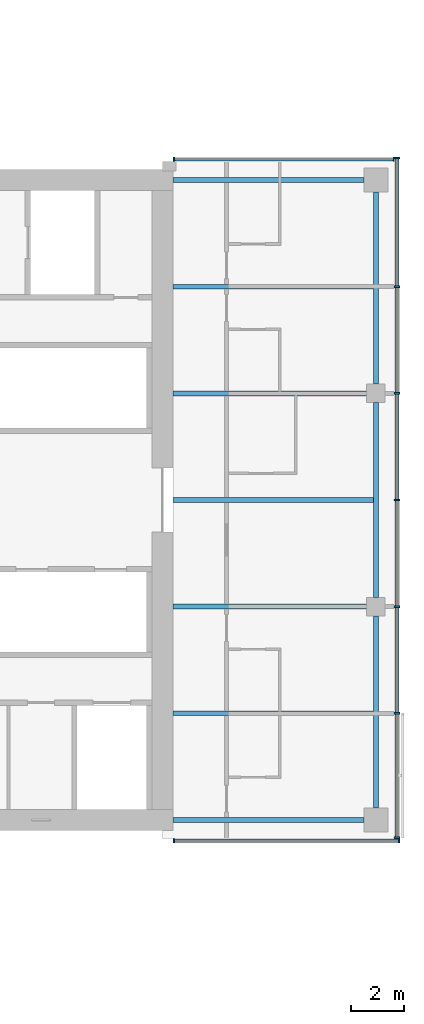
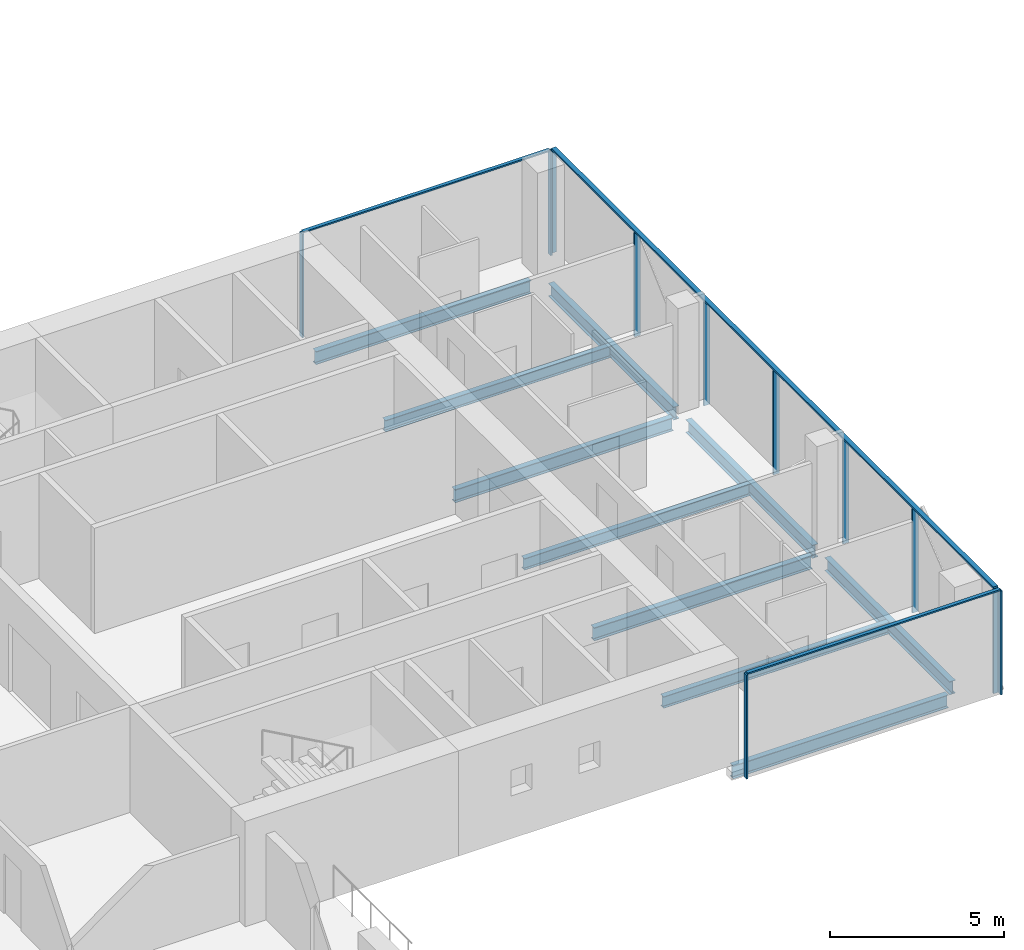
# One storey, part 11 of 27: 14 members, 10 beams, 3 elements without a shape of their own.
"""IFC4 building model written with IfcOpenShell, lengths in metres."""

from ifc_helpers import new_model, si_unit, direction, frame, origin, origin_2d, place, context, subcontext, project, spatial, rectangle, i_section, extrude, material, material_profile, profile_set, type_object, element, aggregate, save


model = new_model("IFC4")

# Units and contexts
model_context = context("Model", 3, precision=1e-05, world=origin(), true_north=direction((0.0, 1.0)))
body_context = subcontext(model_context, "Body", "Model", "MODEL_VIEW")
ifc_project = project(units=[si_unit("LENGTHUNIT", "METRE"), si_unit("AREAUNIT", "SQUARE_METRE"), si_unit("VOLUMEUNIT", "CUBIC_METRE"), si_unit("PLANEANGLEUNIT", "RADIAN"), si_unit("MASSUNIT", "GRAM", prefix="KILO")], contexts=[model_context])

# Site, building, storey
site_placement = place(None, origin())
site = spatial("IfcSite", under=ifc_project, at=site_placement, CompositionType="ELEMENT")
building_placement = place(site_placement, origin())
building = spatial("IfcBuilding", under=site, at=building_placement, Name="Crosswind Convention Tower", CompositionType="ELEMENT")
storey_placement = place(building_placement, frame((0.0, 0.0, 68.300048828125)))
storey = spatial("IfcBuildingStorey", under=building, at=storey_placement, Name="L11", CompositionType="ELEMENT", Elevation=68.300048828125)

# Beams
ifc_material_1 = material(Name="Steel S355", Category="steel")
ifc_material_profile_1 = material_profile(ifc_material_1, i_section(OverallWidth=0.1904296875, OverallDepth=0.457275390625, WebThickness=0.009033203125, FlangeThickness=0.014404296875, FilletRadius=0.01025390625, at=origin_2d()), Name="UB 457x191x75")
ifc_profile_set_1 = profile_set([ifc_material_profile_1], Name="Steel S355")
beam_type_1 = type_object("IfcBeamType", Name="Edge beam UB 457x191x75", PredefinedType="SPANDREL", material=ifc_profile_set_1)
for number, where, z_axis, x_axis, name in (
    (1, (153.39990234375, 88.0, -0.508544921875), (1.0, 0.0, 0.0), (0.0, 1.0, 0.0), "B17 L11 edge beam 24"),
    (2, (153.39990234375, 112.0, -0.508544921875), (1.0, 0.0, 0.0), (0.0, 1.0, 0.0), "B17 L11 edge beam 25"),
):
    element("IfcBeam", number, at=place(storey_placement, frame(where, z_axis=z_axis, x_axis=x_axis)), inside=storey, type_object=beam_type_1, Name=name, PredefinedType="SPANDREL", context=body_context, shape_type="SweptSolid", body=[
        extrude(i_section(OverallWidth=0.1904296875, OverallDepth=0.457275390625, WebThickness=0.009033203125, FlangeThickness=0.014404296875, FilletRadius=0.01025390625, at=origin_2d()), origin(), (0.0, 0.0, 1.0), 7.150146484375),
    ])
beam_1_placement = place(storey_placement, frame((161.0, 88.449951171875, -0.508544921875), z_axis=(0.0, 1.0, 0.0), x_axis=(-1.0, 0.0, 0.0)))
element("IfcBeam", 3, at=beam_1_placement, inside=storey, type_object=beam_type_1, Name="B17 L11 edge beam 26", PredefinedType="SPANDREL", context=body_context, shape_type="SweptSolid", body=[
    extrude(i_section(OverallWidth=0.1904296875, OverallDepth=0.457275390625, WebThickness=0.009033203125, FlangeThickness=0.014404296875, FilletRadius=0.01025390625, at=origin_2d()), origin(), (0.0, 0.0, 1.0), 7.199951171875),
])
beam_2_placement = place(storey_placement, frame((161.0, 96.35009765625, -0.508544921875), z_axis=(0.0, 1.0, 0.0), x_axis=(-1.0, 0.0, 0.0)))
element("IfcBeam", 4, at=beam_2_placement, inside=storey, type_object=beam_type_1, Name="B17 L11 edge beam 27", PredefinedType="SPANDREL", context=body_context, shape_type="SweptSolid", body=[
    extrude(i_section(OverallWidth=0.1904296875, OverallDepth=0.457275390625, WebThickness=0.009033203125, FlangeThickness=0.014404296875, FilletRadius=0.01025390625, at=origin_2d()), origin(), (0.0, 0.0, 1.0), 7.2998046875),
])
beam_3_placement = place(storey_placement, frame((161.0, 104.35009765625, -0.508544921875), z_axis=(0.0, 1.0, 0.0), x_axis=(-1.0, 0.0, 0.0)))
element("IfcBeam", 5, at=beam_3_placement, inside=storey, type_object=beam_type_1, Name="B17 L11 edge beam 28", PredefinedType="SPANDREL", context=body_context, shape_type="SweptSolid", body=[
    extrude(i_section(OverallWidth=0.1904296875, OverallDepth=0.457275390625, WebThickness=0.009033203125, FlangeThickness=0.014404296875, FilletRadius=0.01025390625, at=origin_2d()), origin(), (0.0, 0.0, 1.0), 7.199951171875),
])
ifc_material_profile_2 = material_profile(ifc_material_1, i_section(OverallWidth=0.19189453125, OverallDepth=0.463623046875, WebThickness=0.010498046875, FlangeThickness=0.017578125, FilletRadius=0.01025390625, at=origin_2d()), Name="UB 457x191x90")
ifc_profile_set_2 = profile_set([ifc_material_profile_2], Name="Steel S355")
beam_type_2 = type_object("IfcBeamType", Name="Girder at core wall UB 457x191x90", PredefinedType="BEAM", material=ifc_profile_set_2)
for number, where, z_axis, x_axis, name in (
    (6, (153.39990234375, 96.0, -0.511962890625), (1.0, 0.0, 0.0), (0.0, 1.0, 0.0), "B24 L11 girder at core wall 11"),
    (7, (153.39990234375, 104.0, -0.511962890625), (1.0, 0.0, 0.0), (0.0, 1.0, 0.0), "B24 L11 girder at core wall 12"),
):
    element("IfcBeam", number, at=place(storey_placement, frame(where, z_axis=z_axis, x_axis=x_axis)), inside=storey, type_object=beam_type_2, Name=name, PredefinedType="BEAM", context=body_context, shape_type="SweptSolid", body=[
        extrude(i_section(OverallWidth=0.19189453125, OverallDepth=0.463623046875, WebThickness=0.010498046875, FlangeThickness=0.017578125, FilletRadius=0.01025390625, at=origin_2d()), origin(), (0.0, 0.0, 1.0), 7.25),
    ])

# Curtain wall, members
ifc_material_2 = material(Name="Aluminium unitised curtain wall", Category="aluminium")
curtain_wall_type_1 = type_object("IfcCurtainWallType", Name="CORE END SLOT WALL 160", PredefinedType="USERDEFINED", material=ifc_material_2)
curtain_wall_1_placement = place(storey_placement, origin())
curtain_wall_1 = element("IfcCurtainWall", 8, at=curtain_wall_1_placement, inside=storey, type_object=curtain_wall_type_1, Name="CW6 L11 E-N.1-1 slot", ObjectType="UNITISED", PredefinedType="USERDEFINED")
ifc_material_3 = material(Name="Aluminium mullion", Category="aluminium")
ifc_material_profile_3 = material_profile(ifc_material_3, rectangle(XDim=0.159912109375, YDim=0.050048828125, at=origin_2d()), Name="AL 160X50")
ifc_profile_set_3 = profile_set([ifc_material_profile_3], Name="Aluminium mullion")
member_type_1 = type_object("IfcMemberType", Name="MULLION 50X160", PredefinedType="MULLION", material=ifc_profile_set_3)
member_1_placement = place(storey_placement, frame((161.675048828125, 112.780029296875, -0.280029296875), z_axis=(0.0, 0.0, 1.0), x_axis=(0.0, 1.0, 0.0)))
member_1 = element("IfcMember", 9, at=member_1_placement, type_object=member_type_1, Name="CW6 mullion 1", PredefinedType="MULLION", context=body_context, shape_type="SweptSolid", body=[
    extrude(rectangle(XDim=0.159912109375, YDim=0.050048828125, at=origin_2d()), origin(), (0.0, 0.0, 1.0), 3.64990234375),
])
member_2_placement = place(storey_placement, frame((153.425048828125, 112.780029296875, -0.280029296875), z_axis=(0.0, 0.0, 1.0), x_axis=(0.0, 1.0, 0.0)))
member_2 = element("IfcMember", 10, at=member_2_placement, type_object=member_type_1, Name="CW6 mullion 2", PredefinedType="MULLION", context=body_context, shape_type="SweptSolid", body=[
    extrude(rectangle(XDim=0.159912109375, YDim=0.050048828125, at=origin_2d()), origin(), (0.0, 0.0, 1.0), 3.64990234375),
])

curtain_wall_2_placement = place(storey_placement, origin())
curtain_wall_2 = element("IfcCurtainWall", 11, at=curtain_wall_2_placement, inside=storey, type_object=curtain_wall_type_1, Name="CW6 L11 E-S.2-1 slot", ObjectType="UNITISED", PredefinedType="USERDEFINED")
member_3_placement = place(storey_placement, frame((153.425048828125, 87.219970703125, -0.280029296875), z_axis=(0.0, 0.0, 1.0), x_axis=(0.0, -1.0, 0.0)))
member_3 = element("IfcMember", 12, at=member_3_placement, type_object=member_type_1, Name="CW6 mullion 1", PredefinedType="MULLION", context=body_context, shape_type="SweptSolid", body=[
    extrude(rectangle(XDim=0.159912109375, YDim=0.050048828125, at=origin_2d()), origin(), (0.0, 0.0, 1.0), 3.64990234375),
])
member_4_placement = place(storey_placement, frame((161.875, 87.219970703125, -0.280029296875), z_axis=(0.0, 0.0, 1.0), x_axis=(0.0, -1.0, 0.0)))
member_4 = element("IfcMember", 13, at=member_4_placement, type_object=member_type_1, Name="CW6 mullion 2", PredefinedType="MULLION", context=body_context, shape_type="SweptSolid", body=[
    extrude(rectangle(XDim=0.159912109375, YDim=0.050048828125, at=origin_2d()), origin(), (0.0, 0.0, 1.0), 3.64990234375),
])

curtain_wall_type_2 = type_object("IfcCurtainWallType", Name="HOTEL UNITISED WALL 200", PredefinedType="USERDEFINED", material=ifc_material_2)
curtain_wall_3_placement = place(storey_placement, origin())
curtain_wall_3 = element("IfcCurtainWall", 14, at=curtain_wall_3_placement, inside=storey, type_object=curtain_wall_type_2, Name="CW2 L11 E-TIP 1", ObjectType="UNITISED", PredefinedType="USERDEFINED")
ifc_material_profile_4 = material_profile(ifc_material_3, rectangle(XDim=0.199951171875, YDim=0.06494140625, at=origin_2d()), Name="AL 200X65")
ifc_profile_set_4 = profile_set([ifc_material_profile_4], Name="Aluminium mullion")
member_type_2 = type_object("IfcMemberType", Name="MULLION 65X200", PredefinedType="MULLION", material=ifc_profile_set_4)
member_5_placement = place(storey_placement, frame((161.800048828125, 87.33251953125, -0.280029296875), z_axis=(0.0, 0.0, 1.0), x_axis=(1.0, 0.0, 0.0)))
member_5 = element("IfcMember", 15, at=member_5_placement, type_object=member_type_2, Name="CW2 mullion 1", PredefinedType="MULLION", context=body_context, shape_type="SweptSolid", body=[
    extrude(rectangle(XDim=0.199951171875, YDim=0.06494140625, at=origin_2d()), origin(), (0.0, 0.0, 1.0), 3.635009765625),
])
member_6_placement = place(storey_placement, frame((161.800048828125, 92.0, -0.280029296875), z_axis=(0.0, 0.0, 1.0), x_axis=(1.0, 0.0, 0.0)))
member_6 = element("IfcMember", 16, at=member_6_placement, type_object=member_type_2, Name="CW2 mullion 2", PredefinedType="MULLION", context=body_context, shape_type="SweptSolid", body=[
    extrude(rectangle(XDim=0.199951171875, YDim=0.06494140625, at=origin_2d()), origin(), (0.0, 0.0, 1.0), 3.635009765625),
])
member_7_placement = place(storey_placement, frame((161.800048828125, 96.0, -0.280029296875), z_axis=(0.0, 0.0, 1.0), x_axis=(1.0, 0.0, 0.0)))
member_7 = element("IfcMember", 17, at=member_7_placement, type_object=member_type_2, Name="CW2 mullion 3", PredefinedType="MULLION", context=body_context, shape_type="SweptSolid", body=[
    extrude(rectangle(XDim=0.199951171875, YDim=0.06494140625, at=origin_2d()), origin(), (0.0, 0.0, 1.0), 3.635009765625),
])
member_8_placement = place(storey_placement, frame((161.800048828125, 100.0, -0.280029296875), z_axis=(0.0, 0.0, 1.0), x_axis=(1.0, 0.0, 0.0)))
member_8 = element("IfcMember", 18, at=member_8_placement, type_object=member_type_2, Name="CW2 mullion 4", PredefinedType="MULLION", context=body_context, shape_type="SweptSolid", body=[
    extrude(rectangle(XDim=0.199951171875, YDim=0.06494140625, at=origin_2d()), origin(), (0.0, 0.0, 1.0), 3.635009765625),
])
member_9_placement = place(storey_placement, frame((161.800048828125, 104.0, -0.280029296875), z_axis=(0.0, 0.0, 1.0), x_axis=(1.0, 0.0, 0.0)))
member_9 = element("IfcMember", 19, at=member_9_placement, type_object=member_type_2, Name="CW2 mullion 5", PredefinedType="MULLION", context=body_context, shape_type="SweptSolid", body=[
    extrude(rectangle(XDim=0.199951171875, YDim=0.06494140625, at=origin_2d()), origin(), (0.0, 0.0, 1.0), 3.635009765625),
])
member_10_placement = place(storey_placement, frame((161.800048828125, 108.0, -0.280029296875), z_axis=(0.0, 0.0, 1.0), x_axis=(1.0, 0.0, 0.0)))
member_10 = element("IfcMember", 20, at=member_10_placement, type_object=member_type_2, Name="CW2 mullion 6", PredefinedType="MULLION", context=body_context, shape_type="SweptSolid", body=[
    extrude(rectangle(XDim=0.199951171875, YDim=0.06494140625, at=origin_2d()), origin(), (0.0, 0.0, 1.0), 3.635009765625),
])
member_11_placement = place(storey_placement, frame((161.800048828125, 112.827392578125, -0.280029296875), z_axis=(0.0, 0.0, 1.0), x_axis=(1.0, 0.0, 0.0)))
member_11 = element("IfcMember", 21, at=member_11_placement, type_object=member_type_2, Name="CW2 mullion 7", PredefinedType="MULLION", context=body_context, shape_type="SweptSolid", body=[
    extrude(rectangle(XDim=0.199951171875, YDim=0.06494140625, at=origin_2d()), origin(), (0.0, 0.0, 1.0), 3.635009765625),
])

# Beams
ifc_material_profile_5 = material_profile(ifc_material_1, i_section(OverallWidth=0.177734375, OverallDepth=0.406494140625, WebThickness=0.0078125, FlangeThickness=0.0126953125, FilletRadius=0.01025390625, at=origin_2d()), Name="UB 406x178x60")
ifc_profile_set_5 = profile_set([ifc_material_profile_5], Name="Steel S355")
beam_type_3 = type_object("IfcBeamType", Name="Secondary beam UB 406x178x60", PredefinedType="JOIST", material=ifc_profile_set_5)
for number, where, z_axis, x_axis, name in (
    (22, (153.39990234375, 92.0, -0.483154296875), (1.0, 0.0, 0.0), (0.0, 1.0, 0.0), "B10 L11 secondary beam 31"),
    (23, (153.39990234375, 100.0, -0.483154296875), (1.0, 0.0, 0.0), (0.0, 1.0, 0.0), "B10 L11 secondary beam 32"),
    (24, (153.39990234375, 108.0, -0.483154296875), (1.0, 0.0, 0.0), (0.0, 1.0, 0.0), "B10 L11 secondary beam 33"),
):
    element("IfcBeam", number, at=place(storey_placement, frame(where, z_axis=z_axis, x_axis=x_axis)), inside=storey, type_object=beam_type_3, Name=name, PredefinedType="JOIST", context=body_context, shape_type="SweptSolid", body=[
        extrude(i_section(OverallWidth=0.177734375, OverallDepth=0.406494140625, WebThickness=0.0078125, FlangeThickness=0.0126953125, FilletRadius=0.01025390625, at=origin_2d()), origin(), (0.0, 0.0, 1.0), 7.5048828125),
    ])

# Member
ifc_material_4 = material(Name="Aluminium transom", Category="aluminium")
ifc_material_profile_6 = material_profile(ifc_material_4, rectangle(XDim=0.1201171875, YDim=0.050048828125, at=origin_2d()), Name="AL 120X50")
ifc_profile_set_6 = profile_set([ifc_material_profile_6], Name="Aluminium transom")
member_type_3 = type_object("IfcMemberType", Name="TRANSOM 50X120", PredefinedType="USERDEFINED", material=ifc_profile_set_6)
member_12_placement = place(storey_placement, frame((161.64990234375, 112.780029296875, 3.39501953125), z_axis=(-1.0, 0.0, 0.0), x_axis=(0.0, -1.0, 0.0)))
member_12 = element("IfcMember", 25, at=member_12_placement, type_object=member_type_3, Name="CW6 transom", ObjectType="TRANSOM", PredefinedType="USERDEFINED", context=body_context, shape_type="SweptSolid", body=[
    extrude(rectangle(XDim=0.1201171875, YDim=0.050048828125, at=origin_2d()), origin(), (0.0, 0.0, 1.0), 8.199951171875),
])

aggregate(curtain_wall_1, [member_1, member_2, member_12])

member_13_placement = place(storey_placement, frame((153.449951171875, 87.219970703125, 3.39501953125), z_axis=(1.0, 0.0, 0.0), x_axis=(0.0, 1.0, 0.0)))
member_13 = element("IfcMember", 26, at=member_13_placement, type_object=member_type_3, Name="CW6 transom", ObjectType="TRANSOM", PredefinedType="USERDEFINED", context=body_context, shape_type="SweptSolid", body=[
    extrude(rectangle(XDim=0.1201171875, YDim=0.050048828125, at=origin_2d()), origin(), (0.0, 0.0, 1.0), 8.400146484375),
])

aggregate(curtain_wall_2, [member_3, member_4, member_13])

ifc_material_profile_7 = material_profile(ifc_material_4, rectangle(XDim=0.14990234375, YDim=0.06494140625, at=origin_2d()), Name="AL 150X65")
ifc_profile_set_7 = profile_set([ifc_material_profile_7], Name="Aluminium transom")
member_type_4 = type_object("IfcMemberType", Name="TRANSOM 65X150", PredefinedType="USERDEFINED", material=ifc_profile_set_7)
member_14_placement = place(storey_placement, frame((161.800048828125, 87.364990234375, 3.387451171875), z_axis=(0.0, 1.0, 0.0), x_axis=(-1.0, 0.0, 0.0)))
member_14 = element("IfcMember", 27, at=member_14_placement, type_object=member_type_4, Name="CW2 transom", ObjectType="TRANSOM", PredefinedType="USERDEFINED", context=body_context, shape_type="SweptSolid", body=[
    extrude(rectangle(XDim=0.14990234375, YDim=0.06494140625, at=origin_2d()), origin(), (0.0, 0.0, 1.0), 25.429931640625),
])

aggregate(curtain_wall_3, [member_5, member_6, member_7, member_8, member_9, member_10, member_11, member_14])

save(model, "model.ifc")
